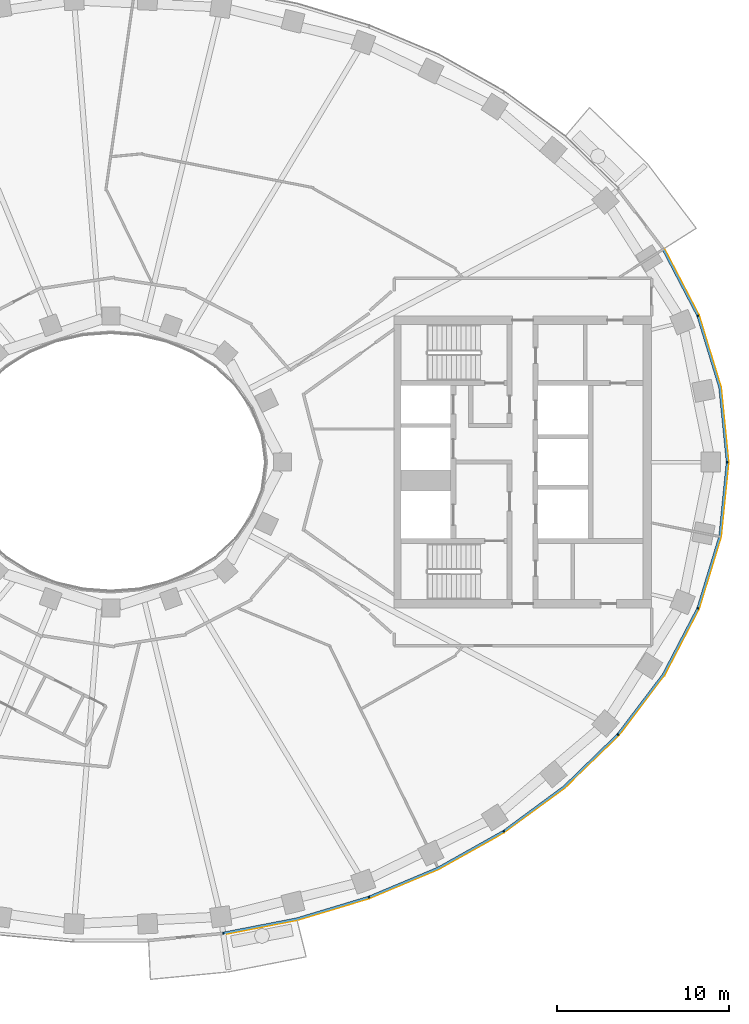
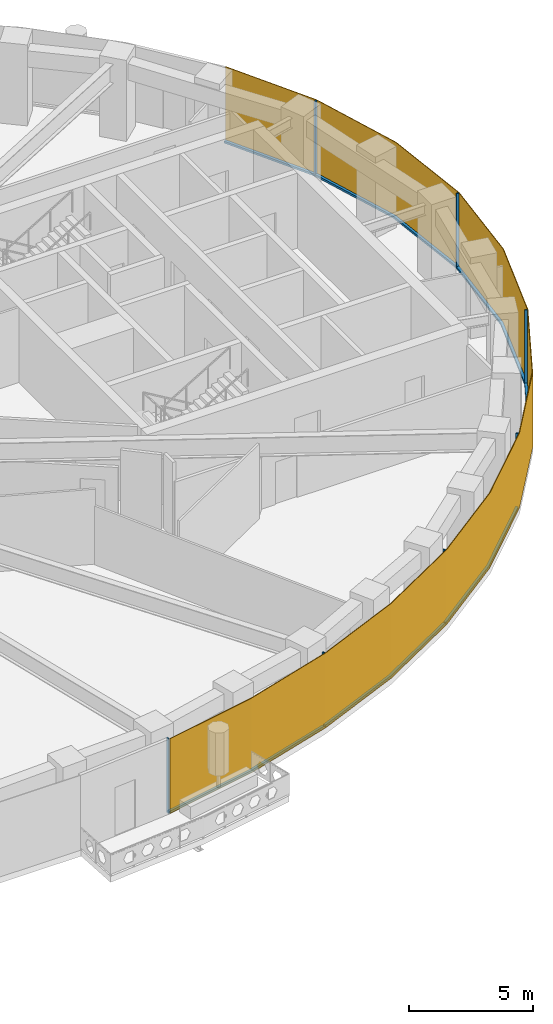
# One storey, part 10 of 16: 14 members, 1 curtain wall.
"""IFC4 building model written with IfcOpenShell, lengths in metres."""

from ifc_helpers import new_model, si_unit, direction, frame, origin, origin_2d, place, context, subcontext, project, spatial, polyline, rectangle, outline, extrude, material, layer, layer_set, material_profile, profile_set, type_object, element, aggregate, save


model = new_model("IFC4")

# Units and contexts
model_context = context("Model", 3, precision=1e-05, world=origin(), true_north=direction((0.0, 1.0)))
body_context = subcontext(model_context, "Body", "Model", "MODEL_VIEW")
ifc_project = project(units=[si_unit("LENGTHUNIT", "METRE"), si_unit("AREAUNIT", "SQUARE_METRE"), si_unit("VOLUMEUNIT", "CUBIC_METRE"), si_unit("PLANEANGLEUNIT", "RADIAN"), si_unit("MASSUNIT", "GRAM", prefix="KILO")], contexts=[model_context])

# Member
ifc_material_1 = material(Name="Aluminium 6063-T6 black anodised", Category="aluminium")
ifc_material_profile = material_profile(ifc_material_1, rectangle(XDim=0.1201171875, YDim=0.06005859375, at=origin_2d()), Name="120x60")
ifc_profile_set = profile_set([ifc_material_profile], Name="Aluminium 6063-T6 black anodised")
member_type_1 = type_object("IfcMemberType", Name="ENV-MULLION-A-120", PredefinedType="MULLION", material=ifc_profile_set)
site_placement = place(None, origin())
building_placement = place(site_placement, origin())
storey_placement = place(building_placement, frame((0.0, 0.0, 174.0)))
member_1_placement = place(storey_placement, frame((6.54638671875, -27.440185546875, 0.0), z_axis=(0.0, 0.0, 1.0), x_axis=(-0.143082012705, 0.989710835366, 0.0)))
member_1 = element("IfcMember", 1, at=member_1_placement, type_object=member_type_1, Name="Mullion A radial 37", PredefinedType="MULLION", context=body_context, shape_type="SweptSolid", body=[
    extrude(rectangle(XDim=0.1201171875, YDim=0.06005859375, at=origin_2d()), origin(), (0.0, 0.0, 1.0), 3.699951171875),
])

member_2_placement = place(storey_placement, frame((15.0341796875, -25.34375, 0.0), z_axis=(0.0, 0.0, 1.0), x_axis=(-0.338379256581, 0.941009818608, 0.0)))
member_2 = element("IfcMember", 2, at=member_2_placement, type_object=member_type_1, Name="Mullion A radial 39", PredefinedType="MULLION", context=body_context, shape_type="SweptSolid", body=[
    extrude(rectangle(XDim=0.1201171875, YDim=0.06005859375, at=origin_2d()), origin(), (0.0, 0.0, 1.0), 3.699951171875),
])

member_3_placement = place(storey_placement, frame((22.882568359375, -21.506591796875, 0.0), z_axis=(0.0, 0.0, 1.0), x_axis=(-0.542279153225, 0.840198381323, 0.0)))
member_3 = element("IfcMember", 3, at=member_3_placement, type_object=member_type_1, Name="Mullion A radial 41", PredefinedType="MULLION", context=body_context, shape_type="SweptSolid", body=[
    extrude(rectangle(XDim=0.1201171875, YDim=0.06005859375, at=origin_2d()), origin(), (0.0, 0.0, 1.0), 3.699951171875),
])

member_4_placement = place(storey_placement, frame((29.53857421875, -15.8671875, 0.0), z_axis=(0.0, 0.0, 1.0), x_axis=(-0.749047221705, 0.662516610853, 0.0)))
member_4 = element("IfcMember", 4, at=member_4_placement, type_object=member_type_1, Name="Mullion A radial 43", PredefinedType="MULLION", context=body_context, shape_type="SweptSolid", body=[
    extrude(rectangle(XDim=0.1201171875, YDim=0.06005859375, at=origin_2d()), origin(), (0.0, 0.0, 1.0), 3.699951171875),
])

member_5_placement = place(storey_placement, frame((34.19580078125, -8.513916015625, 0.0), z_axis=(0.0, 0.0, 1.0), x_axis=(-0.92546738067, 0.378827305398, 0.0)))
member_5 = element("IfcMember", 5, at=member_5_placement, type_object=member_type_1, Name="Mullion A radial 45", PredefinedType="MULLION", context=body_context, shape_type="SweptSolid", body=[
    extrude(rectangle(XDim=0.1201171875, YDim=0.06005859375, at=origin_2d()), origin(), (0.0, 0.0, 1.0), 3.699951171875),
])

member_6_placement = place(storey_placement, frame((35.907958984375, 0.0, 0.0), z_axis=(0.0, 0.0, 1.0), x_axis=(-1.0, 0.0, 0.0)))
member_6 = element("IfcMember", 6, at=member_6_placement, type_object=member_type_1, Name="Mullion A radial 01", PredefinedType="MULLION", context=body_context, shape_type="SweptSolid", body=[
    extrude(rectangle(XDim=0.1201171875, YDim=0.06005859375, at=origin_2d()), origin(), (0.0, 0.0, 1.0), 3.699951171875),
])

member_7_placement = place(storey_placement, frame((34.19580078125, 8.513916015625, 0.0), z_axis=(0.0, 0.0, 1.0), x_axis=(-0.92546738067, -0.378827305398, 0.0)))
member_7 = element("IfcMember", 7, at=member_7_placement, type_object=member_type_1, Name="Mullion A radial 03", PredefinedType="MULLION", context=body_context, shape_type="SweptSolid", body=[
    extrude(rectangle(XDim=0.1201171875, YDim=0.06005859375, at=origin_2d()), origin(), (0.0, 0.0, 1.0), 3.699951171875),
])

ifc_material_2 = material(Name="Aluminium 6063-T6 black anodised", Category="aluminium")
member_type_2 = type_object("IfcMemberType", Name="ENV-TRANSOM-A", PredefinedType="USERDEFINED", material=ifc_material_2)
member_8_placement = place(storey_placement, origin())
member_8 = element("IfcMember", 8, at=member_8_placement, type_object=member_type_2, Name="Transom A radial 37-39", ObjectType="TRANSOM", PredefinedType="USERDEFINED", context=body_context, shape_type="SweptSolid", body=[
    extrude(outline(polyline([(6.58251953125, -27.494140625), (10.857666015625, -26.6630859375), (15.027587890625, -25.408203125), (14.987060546875, -25.295166015625), (10.828857421875, -26.54638671875), (6.5654296875, -27.375244140625), (6.58251953125, -27.494140625)])), origin(), (0.0, 0.0, 1.0), 0.10009765625),
])

member_9_placement = place(storey_placement, origin())
member_9 = element("IfcMember", 9, at=member_9_placement, type_object=member_type_2, Name="Transom A radial 39-41", ObjectType="TRANSOM", PredefinedType="USERDEFINED", context=body_context, shape_type="SweptSolid", body=[
    extrude(outline(polyline([(15.080322265625, -25.389404296875), (19.093994140625, -23.701416015625), (22.890625, -21.570556640625), (22.825439453125, -21.469482421875), (19.041259765625, -23.593505859375), (15.03955078125, -25.276123046875), (15.080322265625, -25.389404296875)])), origin(), (0.0, 0.0, 1.0), 0.10009765625),
])

member_10_placement = place(storey_placement, origin())
member_10 = element("IfcMember", 10, at=member_10_placement, type_object=member_type_2, Name="Transom A radial 41-43", ObjectType="TRANSOM", PredefinedType="USERDEFINED", context=body_context, shape_type="SweptSolid", body=[
    extrude(outline(polyline([(22.937744140625, -21.540283203125), (26.4423828125, -18.958740234375), (29.5634765625, -15.926513671875), (29.473388671875, -15.8466796875), (26.364501953125, -18.866943359375), (22.87255859375, -21.439208984375), (22.937744140625, -21.540283203125)])), origin(), (0.0, 0.0, 1.0), 0.10009765625),
])

member_11_placement = place(storey_placement, origin())
member_11 = element("IfcMember", 11, at=member_11_placement, type_object=member_type_2, Name="Transom A radial 43-45", ObjectType="TRANSOM", PredefinedType="USERDEFINED", context=body_context, shape_type="SweptSolid", body=[
    extrude(outline(polyline([(29.6005859375, -15.884521484375), (32.22802734375, -12.41748046875), (34.23828125, -8.5615234375), (34.126708984375, -8.515869140625), (32.126220703125, -12.35302734375), (29.51025390625, -15.8046875), (29.6005859375, -15.884521484375)])), origin(), (0.0, 0.0, 1.0), 0.10009765625),
])

member_12_placement = place(storey_placement, origin())
member_12 = element("IfcMember", 12, at=member_12_placement, type_object=member_type_2, Name="Transom A radial 45-01", ObjectType="TRANSOM", PredefinedType="USERDEFINED", context=body_context, shape_type="SweptSolid", body=[
    extrude(outline(polyline([(34.259521484375, -8.509765625), (35.529541015625, -4.352294921875), (35.965087890625, -0.02783203125), (35.844482421875, -0.02783203125), (35.411376953125, -4.32861328125), (34.14794921875, -8.464111328125), (34.259521484375, -8.509765625)])), origin(), (0.0, 0.0, 1.0), 0.10009765625),
])

member_13_placement = place(storey_placement, origin())
member_13 = element("IfcMember", 13, at=member_13_placement, type_object=member_type_2, Name="Transom A radial 01-03", ObjectType="TRANSOM", PredefinedType="USERDEFINED", context=body_context, shape_type="SweptSolid", body=[
    extrude(outline(polyline([(35.965087890625, 0.02783203125), (35.529541015625, 4.352294921875), (34.259521484375, 8.509765625), (34.14794921875, 8.464111328125), (35.411376953125, 4.32861328125), (35.844482421875, 0.02783203125), (35.965087890625, 0.02783203125)])), origin(), (0.0, 0.0, 1.0), 0.10009765625),
])

member_14_placement = place(storey_placement, origin())
member_14 = element("IfcMember", 14, at=member_14_placement, type_object=member_type_2, Name="Transom A radial 03-04", ObjectType="TRANSOM", PredefinedType="USERDEFINED", context=body_context, shape_type="SweptSolid", body=[
    extrude(outline(polyline([(34.23828125, 8.5615234375), (32.2373046875, 12.39990234375), (32.135498046875, 12.33544921875), (34.126708984375, 8.515869140625), (34.23828125, 8.5615234375)])), origin(), (0.0, 0.0, 1.0), 0.10009765625),
])

# Site, building, storey
site = spatial("IfcSite", under=ifc_project, at=site_placement, CompositionType="ELEMENT")
building = spatial("IfcBuilding", under=site, at=building_placement, Name="Noorbagh Ring Tower", CompositionType="ELEMENT")
storey = spatial("IfcBuildingStorey", under=building, at=storey_placement, Name="L40", CompositionType="ELEMENT", Elevation=174.0)

# Curtain wall
ifc_material_3 = material(Name="Glass dark tinted laminated", Category="glass")
ifc_layer = layer(ifc_material_3, 0.031982421875)
ifc_layer_set = layer_set([ifc_layer], Name="Glass dark tinted laminated")
curtain_wall_type = type_object("IfcCurtainWallType", Name="ENV-CW-A", PredefinedType="NOTDEFINED", material=ifc_layer_set)
curtain_wall_placement = place(storey_placement, origin())
curtain_wall = element("IfcCurtainWall", 15, at=curtain_wall_placement, inside=storey, type_object=curtain_wall_type, Name="Curtain wall A R37", PredefinedType="NOTDEFINED", context=body_context, shape_type="SweptSolid", body=[
    extrude(outline(polyline([(6.579345703125, -27.52734375), (10.865234375, -26.6943359375), (15.065185546875, -25.430419921875), (19.108154296875, -23.730224609375), (22.9326171875, -21.583740234375), (26.463134765625, -18.9833984375), (29.607666015625, -15.927978515625), (32.255126953125, -12.434814453125), (34.281005859375, -8.548828125), (35.561279296875, -4.358642578125), (36.0, 0.0), (35.561279296875, 4.358642578125), (34.281005859375, 8.548828125), (32.264404296875, 12.4169921875), (32.2373046875, 12.39990234375), (34.251220703125, 8.53662109375), (35.529541015625, 4.352294921875), (35.9677734375, 0.0), (35.529541015625, -4.352294921875), (34.251220703125, -8.53662109375), (32.22802734375, -12.41748046875), (29.58349609375, -15.906982421875), (26.4423828125, -18.958740234375), (22.9150390625, -21.556884765625), (19.093994140625, -23.701416015625), (15.054443359375, -25.400146484375), (10.857666015625, -26.6630859375), (6.57470703125, -27.49560546875), (6.579345703125, -27.52734375)])), origin(), (0.0, 0.0, 1.0), 3.699951171875),
])

aggregate(curtain_wall, [member_1, member_2, member_3, member_4, member_5, member_6, member_7, member_8, member_9, member_10, member_11, member_12, member_13, member_14])

save(model, "model.ifc")
